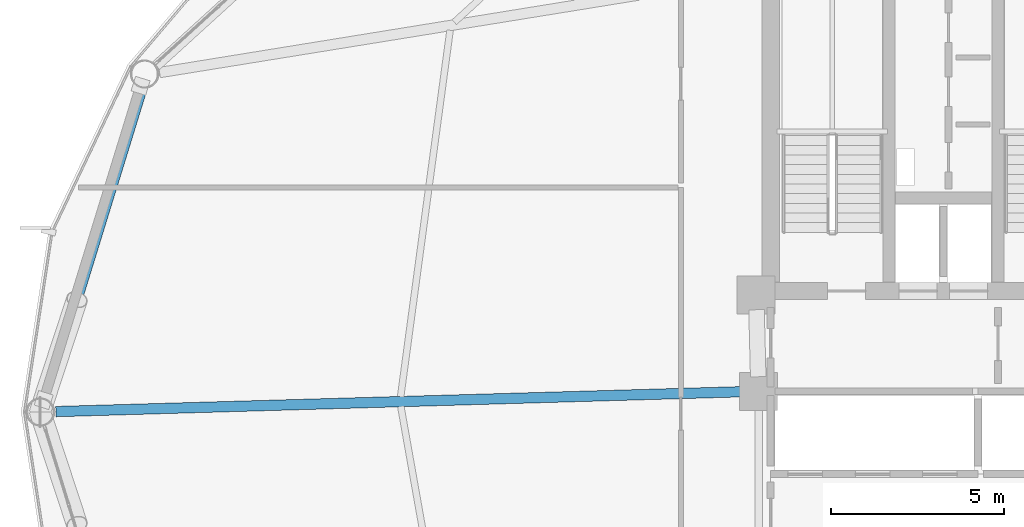
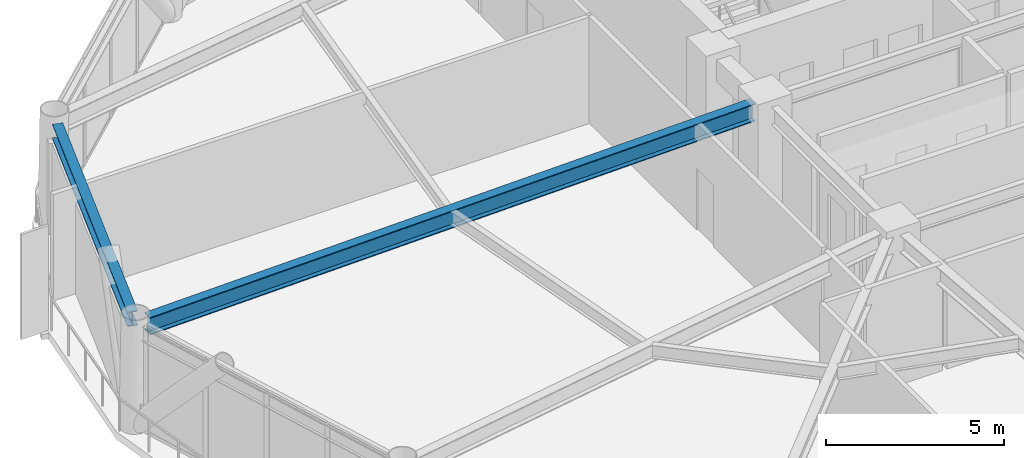
# One storey, part 8 of 25: 2 beams.
"""IFC4 building model written with IfcOpenShell, lengths in metres."""

from ifc_helpers import new_model, si_unit, direction, frame, origin, origin_2d, place, context, subcontext, project, spatial, i_section, extrude, material, material_profile, profile_set, type_object, element, save


model = new_model("IFC4")

# Units and contexts
model_context = context("Model", 3, precision=1e-05, world=origin(), true_north=direction((0.0, 1.0)))
body_context = subcontext(model_context, "Body", "Model", "MODEL_VIEW")
ifc_project = project(units=[si_unit("LENGTHUNIT", "METRE"), si_unit("AREAUNIT", "SQUARE_METRE"), si_unit("VOLUMEUNIT", "CUBIC_METRE"), si_unit("PLANEANGLEUNIT", "RADIAN"), si_unit("MASSUNIT", "GRAM", prefix="KILO")], contexts=[model_context])

# Site, building, storey
site_placement = place(None, origin())
site = spatial("IfcSite", under=ifc_project, at=site_placement, CompositionType="ELEMENT")
building_placement = place(site_placement, origin())
building = spatial("IfcBuilding", under=site, at=building_placement, Name="Varnakorn Sky Granary", CompositionType="ELEMENT")
storey_placement = place(building_placement, frame((0.0, 0.0, 99.300048828125)))
storey = spatial("IfcBuildingStorey", under=building, at=storey_placement, Name="L24", CompositionType="ELEMENT", Elevation=99.300048828125)

# Beams
ifc_material = material(Name="Steel S355JR", Category="steel")
ifc_material_profile_1 = material_profile(ifc_material, i_section(OverallWidth=0.300048828125, OverallDepth=0.60009765625, WebThickness=0.015380859375, FlangeThickness=0.030029296875, at=origin_2d()), Name="HE 600 B")
ifc_profile_set_1 = profile_set([ifc_material_profile_1], Name="Steel S355JR")
beam_type_1 = type_object("IfcBeamType", Name="BM-RAD-Z2", PredefinedType="BEAM", material=ifc_profile_set_1)
beam_1_placement = place(storey_placement, frame((-2.769775390625, 0.587890625, 3.33984375), z_axis=(-0.999581325351, -0.028933959442, 0.0), x_axis=(0.028933959442, -0.999581325351, 0.0)))
element("IfcBeam", 1, at=beam_1_placement, inside=storey, type_object=beam_type_1, Name="Radial Floor Girder RG07 L24", PredefinedType="BEAM", context=body_context, shape_type="SweptSolid", body=[
    extrude(i_section(OverallWidth=0.300048828125, OverallDepth=0.60009765625, WebThickness=0.015380859375, FlangeThickness=0.030029296875, at=origin_2d()), origin(), (0.0, 0.0, 1.0), 19.93017578125),
])
ifc_material_profile_2 = material_profile(ifc_material, i_section(OverallWidth=0.300048828125, OverallDepth=0.5, WebThickness=0.014404296875, FlangeThickness=0.028076171875, at=origin_2d()), Name="HE 500 B")
ifc_profile_set_2 = profile_set([ifc_material_profile_2], Name="Steel S355JR")
beam_type_2 = type_object("IfcBeamType", Name="BM-SPD-Z2", PredefinedType="SPANDREL", material=ifc_profile_set_2)
beam_2_placement = place(storey_placement, frame((-20.189697265625, 9.388427734375, 3.389892578125), z_axis=(-0.294513225016, -0.955647403748, 0.0), x_axis=(0.955647403748, -0.294513225016, 0.0)))
element("IfcBeam", 2, at=beam_2_placement, inside=storey, type_object=beam_type_2, Name="Perimeter Spandrel Ring Beam RB06 L24", PredefinedType="SPANDREL", context=body_context, shape_type="SweptSolid", body=[
    extrude(i_section(OverallWidth=0.300048828125, OverallDepth=0.5, WebThickness=0.014404296875, FlangeThickness=0.028076171875, at=origin_2d()), origin(), (0.0, 0.0, 1.0), 9.432861328125),
])

save(model, "model.ifc")
